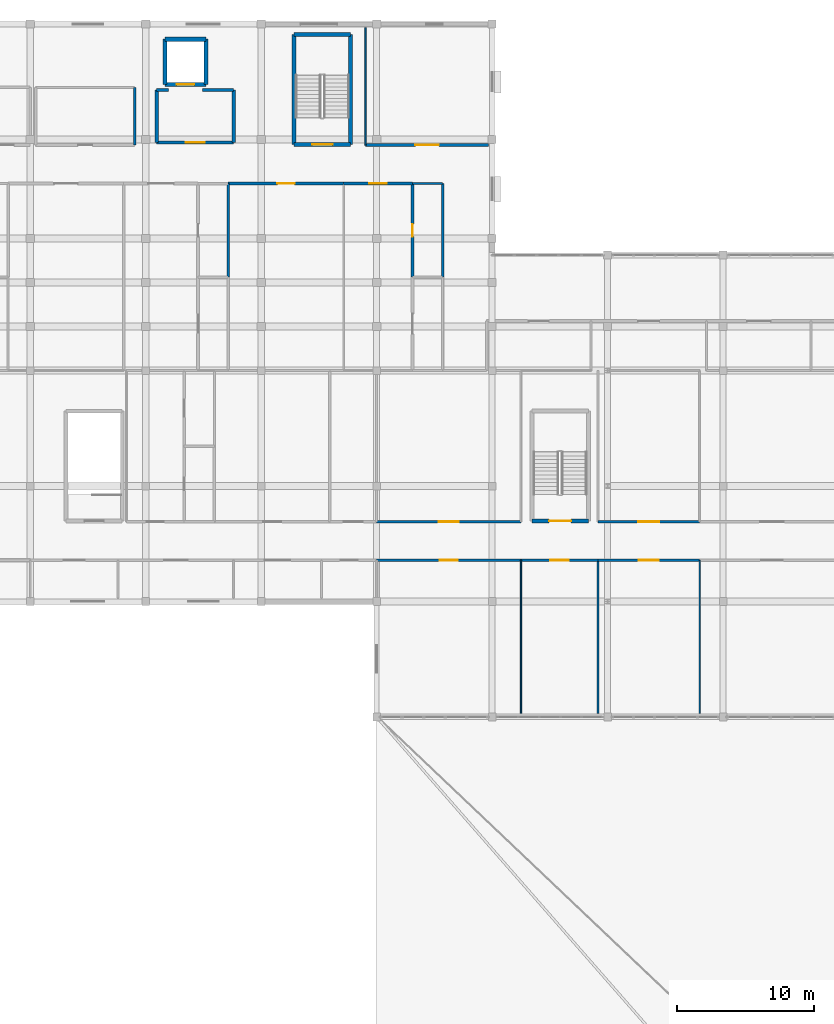
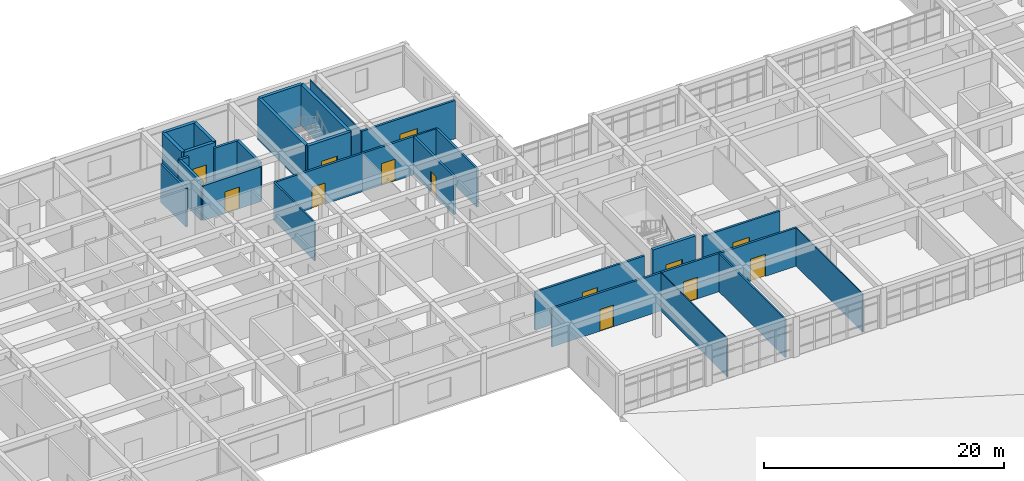
# One storey, part 50 of 77: 31 walls, 13 doors, 13 openings.
"""IFC4 building model written with IfcOpenShell, lengths in metres."""

from ifc_helpers import new_model, si_unit, direction, frame, frame_2d, origin, place, context, subcontext, project, spatial, rectangle, extrude, material, layer, layer_set, type_object, element, fill, save


model = new_model("IFC4")

# Units and contexts
model_context = context("Model", 3, precision=1e-05, world=origin(), true_north=direction((0.0, 1.0)))
body_context = subcontext(model_context, "Body", "Model", "MODEL_VIEW")
ifc_project = project(units=[si_unit("LENGTHUNIT", "METRE"), si_unit("AREAUNIT", "SQUARE_METRE"), si_unit("VOLUMEUNIT", "CUBIC_METRE"), si_unit("PLANEANGLEUNIT", "RADIAN"), si_unit("MASSUNIT", "GRAM", prefix="KILO")], contexts=[model_context])

# Site, building, storey
site_placement = place(None, origin())
site = spatial("IfcSite", under=ifc_project, at=site_placement, CompositionType="ELEMENT")
building_placement = place(site_placement, origin())
building = spatial("IfcBuilding", under=site, at=building_placement, Name="Varncliffe General Hospital", CompositionType="ELEMENT")
storey_placement = place(building_placement, frame((0.0, 0.0, 16.199951171875)))
storey = spatial("IfcBuildingStorey", under=building, at=storey_placement, Name="L03", CompositionType="ELEMENT", Elevation=16.199951171875)

# Walls
ifc_material_1 = material(Name="Acoustic clinical gypsum stud partition assembly", Category="gypsum")
ifc_layer_1 = layer(ifc_material_1, 0.14990234375)
ifc_layer_set_1 = layer_set([ifc_layer_1], Name="Acoustic clinical gypsum stud partition assembly")
wall_type_1 = type_object("IfcWallType", Name="Interior Partitioning IW35 (150mm)", PredefinedType="PARTITIONING", material=ifc_layer_set_1)
wall_1_placement = place(storey_placement, frame((74.89990234375, 74.659912109375, 0.0), z_axis=(0.0, 0.0, 1.0), x_axis=(0.0, 1.0, 0.0)))
element("IfcWall", 1, at=wall_1_placement, inside=storey, type_object=wall_type_1, Name="L03 Interior Partition Wall IW35-1579", PredefinedType="PARTITIONING", context=body_context, shape_type="SweptSolid", body=[
    extrude(rectangle(XDim=11.14013671875, YDim=0.14990234375, at=frame_2d((5.570068359375, 0.0))), origin(), (0.0, 0.0, 1.0), 3.89013671875),
])
ifc_layer_2 = layer(ifc_material_1, 0.090087890625)
ifc_layer_set_2 = layer_set([ifc_layer_2], Name="Acoustic clinical gypsum stud partition assembly")
wall_type_2 = type_object("IfcWallType", Name="Interior Partitioning IW42 (90mm)", PredefinedType="PARTITIONING", material=ifc_layer_set_2)
for number, where, z_axis, x_axis, name in (
    (2, (69.300048828125, 74.659912109375, 0.0), (0.0, 0.0, 1.0), (0.0, 1.0, 0.0), "L03 Interior Partition Wall IW42-1576"),
    (3, (82.300048828125, 74.659912109375, 0.0), (0.0, 0.0, 1.0), (0.0, 1.0, 0.0), "L03 Interior Partition Wall IW42-1581"),
):
    element("IfcWall", number, at=place(storey_placement, frame(where, z_axis=z_axis, x_axis=x_axis)), inside=storey, type_object=wall_type_2, Name=name, PredefinedType="PARTITIONING", context=body_context, shape_type="SweptSolid", body=[
        extrude(rectangle(XDim=11.14013671875, YDim=0.090087890625, at=frame_2d((5.570068359375, 0.0))), origin(), (0.0, 0.0, 1.0), 3.89013671875),
    ])
ifc_layer_3 = layer(ifc_material_1, 0.110107421875)
ifc_layer_set_3 = layer_set([ifc_layer_3], Name="Acoustic clinical gypsum stud partition assembly")
wall_type_3 = type_object("IfcWallType", Name="Interior Partitioning IW65 (110mm)", PredefinedType="PARTITIONING", material=ifc_layer_set_3)
wall_2_placement = place(storey_placement, frame((58.0, 116.0, 0.0), z_axis=(0.0, 0.0, 1.0), x_axis=(0.0, 1.0, 0.0)))
element("IfcWall", 4, at=wall_2_placement, inside=storey, type_object=wall_type_3, Name="L03 Interior Partition Wall IW65-1567", PredefinedType="PARTITIONING", context=body_context, shape_type="SweptSolid", body=[
    extrude(rectangle(XDim=8.5400390625, YDim=0.110107421875, at=frame_2d((4.27001953125, 0.0))), origin(), (0.0, 0.0, 1.0), 3.89013671875),
])
ifc_material_2 = material(Name="Fire-rated gypsum and mineral-wool partition assembly", Category="gypsum")
ifc_layer_4 = layer(ifc_material_2, 0.25)
ifc_layer_set_4 = layer_set([ifc_layer_4], Name="Fire-rated gypsum and mineral-wool partition assembly")
wall_type_4 = type_object("IfcWallType", Name="Interior Partitioning PW38 (250mm)", PredefinedType="PARTITIONING", material=ifc_layer_set_4)
for number, where, z_axis, x_axis, name in (
    (5, (42.800048828125, 116.199951171875, 0.0), (0.0, 0.0, 1.0), (0.0, 1.0, 0.0), "L03 Interior Partition Wall PW38-1553"),
    (6, (48.39990234375, 116.199951171875, 0.0), (0.0, 0.0, 1.0), (0.0, 1.0, 0.0), "L03 Interior Partition Wall PW38-1563"),
):
    element("IfcWall", number, at=place(storey_placement, frame(where, z_axis=z_axis, x_axis=x_axis)), inside=storey, type_object=wall_type_4, Name=name, PredefinedType="PARTITIONING", context=body_context, shape_type="SweptSolid", body=[
        extrude(rectangle(XDim=3.800048828125, YDim=0.25, at=frame_2d((1.89990234375, 0.0))), origin(), (0.0, 0.0, 1.0), 3.89013671875),
    ])

# Wall, opening, door
ifc_layer_5 = layer(ifc_material_2, 0.22998046875)
ifc_layer_set_5 = layer_set([ifc_layer_5], Name="Fire-rated gypsum and mineral-wool partition assembly")
wall_type_5 = type_object("IfcWallType", Name="Interior Partitioning PW48 (230mm)", PredefinedType="PARTITIONING", material=ifc_layer_set_5)
wall_3_placement = place(storey_placement, frame((42.800048828125, 116.199951171875, 0.0), z_axis=(0.0, 0.0, 1.0), x_axis=(1.0, 0.0, 0.0)))
wall_3 = element("IfcWall", 7, at=wall_3_placement, inside=storey, type_object=wall_type_5, Name="L03 Interior Partition Wall PW48-1494", PredefinedType="PARTITIONING", context=body_context, shape_type="SweptSolid", body=[
    extrude(rectangle(XDim=5.599853515625, YDim=0.22998046875, at=frame_2d((2.7998046875, 0.0))), origin(), (0.0, 0.0, 1.0), 3.53515625),
])
opening_1_placement = place(wall_3_placement, frame((2.10009765625, 0.0, 0.0)))
opening_1 = element("IfcOpeningElement", 8, at=opening_1_placement, cuts=wall_3, Name="Opening DF81", PredefinedType="OPENING", context=body_context, shape_type="SweptSolid", body=[
    extrude(rectangle(XDim=1.39990234375, YDim=2.199951171875, at=frame_2d((0.699951171875, 1.10009765625))), frame((0.0, 0.125, 0.0), z_axis=(0.0, -1.0, 0.0), x_axis=(1.0, 0.0, 0.0)), (0.0, 0.0, 1.0), 0.25),
])
ifc_material_3 = material(Name="Fire-rated hospital steel-frame vision-panel door", Category="steel")
door_type_1 = type_object("IfcDoorType", Name="Interior Hospital Door DF81 (1400x2200)", OperationType="NOTDEFINED", PredefinedType="DOOR", material=ifc_material_3)
door_1_placement = place(opening_1_placement, origin())
door_1 = element("IfcDoor", 9, at=door_1_placement, inside=storey, type_object=door_type_1, Name="L03 Firefighting Lift Lobby LF02 Door", OperationType="SINGLE_SWING_LEFT", OverallHeight=2.199951171875, OverallWidth=1.39990234375, PredefinedType="DOOR", context=body_context, shape_type="SweptSolid", body=[
    extrude(rectangle(XDim=1.39990234375, YDim=2.199951171875, at=frame_2d((0.699951171875, 1.10009765625))), frame((0.0, 0.02490234375, 0.0), z_axis=(0.0, -1.0, 0.0), x_axis=(1.0, 0.0, 0.0)), (0.0, 0.0, 1.0), 0.050048828125),
])
fill(opening_1, door_1)

# Walls
wall_4_placement = place(storey_placement, frame((46.135986328125, 120.0, 0.0), z_axis=(0.0, 0.0, 1.0), x_axis=(1.0, 0.0, 0.0)))
element("IfcWall", 10, at=wall_4_placement, inside=storey, type_object=wall_type_5, Name="L03 Interior Partition Wall PW48-1498", PredefinedType="PARTITIONING", context=body_context, shape_type="SweptSolid", body=[
    extrude(rectangle(XDim=2.263916015625, YDim=0.22998046875, at=frame_2d((1.1318359375, 0.0))), origin(), (0.0, 0.0, 1.0), 3.89013671875),
])
wall_5_placement = place(storey_placement, frame((42.800048828125, 120.0, 0.0), z_axis=(0.0, 0.0, 1.0), x_axis=(1.0, 0.0, 0.0)))
element("IfcWall", 11, at=wall_5_placement, inside=storey, type_object=wall_type_5, Name="L03 Interior Partition Wall PW48-1499", PredefinedType="PARTITIONING", context=body_context, shape_type="SweptSolid", body=[
    extrude(rectangle(XDim=0.864013671875, YDim=0.22998046875, at=frame_2d((0.43212890625, 0.0))), origin(), (0.0, 0.0, 1.0), 3.89013671875),
])

# Wall, opening, door
ifc_layer_6 = layer(ifc_material_2, 0.199951171875)
ifc_layer_set_6 = layer_set([ifc_layer_6], Name="Fire-rated gypsum and mineral-wool partition assembly")
wall_type_6 = type_object("IfcWallType", Name="Interior Partitioning PW63 (200mm)", PredefinedType="PARTITIONING", material=ifc_layer_set_6)
wall_6_placement = place(storey_placement, frame((58.800048828125, 85.800048828125, 0.0), z_axis=(0.0, 0.0, 1.0), x_axis=(1.0, 0.0, 0.0)))
wall_6 = element("IfcWall", 12, at=wall_6_placement, inside=storey, type_object=wall_type_6, Name="L03 Interior Partition Wall PW63-1368", PredefinedType="PARTITIONING", context=body_context, shape_type="SweptSolid", body=[
    extrude(rectangle(XDim=10.5, YDim=0.199951171875, at=frame_2d((5.25, 0.0))), origin(), (0.0, 0.0, 1.0), 3.89013671875),
])
opening_2_placement = place(wall_6_placement, frame((4.60009765625, 0.0, 0.0)))
opening_2 = element("IfcOpeningElement", 13, at=opening_2_placement, cuts=wall_6, Name="Opening DC88", PredefinedType="OPENING", context=body_context, shape_type="SweptSolid", body=[
    extrude(rectangle(XDim=1.300048828125, YDim=2.199951171875, at=frame_2d((0.64990234375, 1.10009765625))), frame((0.0, 0.10986328125, 0.0), z_axis=(0.0, -1.0, 0.0), x_axis=(1.0, 0.0, 0.0)), (0.0, 0.0, 1.0), 0.219970703125),
])
door_type_2 = type_object("IfcDoorType", Name="Interior Hospital Door DC88 (1300x2200)", OperationType="NOTDEFINED", PredefinedType="DOOR", material=ifc_material_3)
door_2_placement = place(opening_2_placement, frame((1.300048828125, 0.0, 0.0), z_axis=(0.0, 0.0, 1.0), x_axis=(-1.0, 0.0, 0.0)))
door_2 = element("IfcDoor", 14, at=door_2_placement, inside=storey, type_object=door_type_2, Name="L03 Hybrid Interventional Operating Theatre 57 Door", OperationType="SINGLE_SWING_RIGHT", OverallHeight=2.199951171875, OverallWidth=1.300048828125, PredefinedType="DOOR", context=body_context, shape_type="SweptSolid", body=[
    extrude(rectangle(XDim=1.300048828125, YDim=2.199951171875, at=frame_2d((0.64990234375, 1.10009765625))), frame((0.0, 0.02490234375, 0.0), z_axis=(0.0, -1.0, 0.0), x_axis=(1.0, 0.0, 0.0)), (0.0, 0.0, 1.0), 0.050048828125),
])
fill(opening_2, door_2)

wall_7_placement = place(storey_placement, frame((69.300048828125, 85.800048828125, 0.0), z_axis=(0.0, 0.0, 1.0), x_axis=(1.0, 0.0, 0.0)))
wall_7 = element("IfcWall", 15, at=wall_7_placement, inside=storey, type_object=wall_type_6, Name="L03 Interior Partition Wall PW63-1369", PredefinedType="PARTITIONING", context=body_context, shape_type="SweptSolid", body=[
    extrude(rectangle(XDim=5.599853515625, YDim=0.199951171875, at=frame_2d((2.7998046875, 0.0))), origin(), (0.0, 0.0, 1.0), 3.89013671875),
])
opening_3_placement = place(wall_7_placement, frame((2.125, 0.0, 0.0)))
opening_3 = element("IfcOpeningElement", 16, at=opening_3_placement, cuts=wall_7, Name="Opening DC85", PredefinedType="OPENING", context=body_context, shape_type="SweptSolid", body=[
    extrude(rectangle(XDim=1.35009765625, YDim=2.199951171875, at=frame_2d((0.675048828125, 1.10009765625))), frame((0.0, 0.10986328125, 0.0), z_axis=(0.0, -1.0, 0.0), x_axis=(1.0, 0.0, 0.0)), (0.0, 0.0, 1.0), 0.219970703125),
])
door_type_3 = type_object("IfcDoorType", Name="Interior Hospital Door DC85 (1350x2200)", OperationType="NOTDEFINED", PredefinedType="DOOR", material=ifc_material_3)
door_3_placement = place(opening_3_placement, frame((1.35009765625, 0.0, 0.0), z_axis=(0.0, 0.0, 1.0), x_axis=(-1.0, 0.0, 0.0)))
door_3 = element("IfcDoor", 17, at=door_3_placement, inside=storey, type_object=door_type_3, Name="L03 Surgical Scrub and Sterile Core Room 58 Door", OperationType="SINGLE_SWING_LEFT", OverallHeight=2.199951171875, OverallWidth=1.35009765625, PredefinedType="DOOR", context=body_context, shape_type="SweptSolid", body=[
    extrude(rectangle(XDim=1.35009765625, YDim=2.199951171875, at=frame_2d((0.675048828125, 1.10009765625))), frame((0.0, 0.02490234375, 0.0), z_axis=(0.0, -1.0, 0.0), x_axis=(1.0, 0.0, 0.0)), (0.0, 0.0, 1.0), 0.050048828125),
])
fill(opening_3, door_3)

wall_8_placement = place(storey_placement, frame((74.89990234375, 85.800048828125, 0.0), z_axis=(0.0, 0.0, 1.0), x_axis=(1.0, 0.0, 0.0)))
wall_8 = element("IfcWall", 18, at=wall_8_placement, inside=storey, type_object=wall_type_6, Name="L03 Interior Partition Wall PW63-1370", PredefinedType="PARTITIONING", context=body_context, shape_type="SweptSolid", body=[
    extrude(rectangle(XDim=7.400146484375, YDim=0.199951171875, at=frame_2d((3.7001953125, 0.0))), origin(), (0.0, 0.0, 1.0), 3.89013671875),
])
opening_4_placement = place(wall_8_placement, frame((2.97509765625, 0.0, 0.0)))
opening_4 = element("IfcOpeningElement", 19, at=opening_4_placement, cuts=wall_8, Name="Opening DC66", PredefinedType="OPENING", context=body_context, shape_type="SweptSolid", body=[
    extrude(rectangle(XDim=1.449951171875, YDim=2.25, at=frame_2d((0.72509765625, 1.125))), frame((0.0, 0.10986328125, 0.0), z_axis=(0.0, -1.0, 0.0), x_axis=(1.0, 0.0, 0.0)), (0.0, 0.0, 1.0), 0.219970703125),
])
door_type_4 = type_object("IfcDoorType", Name="Interior Hospital Door DC66 (1450x2250)", OperationType="NOTDEFINED", PredefinedType="DOOR", material=ifc_material_3)
door_4_placement = place(opening_4_placement, frame((1.449951171875, 0.0, 0.0), z_axis=(0.0, 0.0, 1.0), x_axis=(-1.0, 0.0, 0.0)))
door_4 = element("IfcDoor", 20, at=door_4_placement, inside=storey, type_object=door_type_4, Name="L03 Endoscopy Procedure Suite 59 Door", OperationType="SINGLE_SWING_RIGHT", OverallHeight=2.25, OverallWidth=1.449951171875, PredefinedType="DOOR", context=body_context, shape_type="SweptSolid", body=[
    extrude(rectangle(XDim=1.449951171875, YDim=2.25, at=frame_2d((0.72509765625, 1.125))), frame((0.0, 0.02490234375, 0.0), z_axis=(0.0, -1.0, 0.0), x_axis=(1.0, 0.0, 0.0)), (0.0, 0.0, 1.0), 0.050048828125),
])
fill(opening_4, door_4)

wall_9_placement = place(storey_placement, frame((58.800048828125, 88.60009765625, 0.0), z_axis=(0.0, 0.0, 1.0), x_axis=(1.0, 0.0, 0.0)))
wall_9 = element("IfcWall", 21, at=wall_9_placement, inside=storey, type_object=wall_type_6, Name="L03 Interior Partition Wall PW63-1386", PredefinedType="PARTITIONING", context=body_context, shape_type="SweptSolid", body=[
    extrude(rectangle(XDim=10.5, YDim=0.199951171875, at=frame_2d((5.25, 0.0))), origin(), (0.0, 0.0, 1.0), 3.89013671875),
])
opening_5_placement = place(wall_9_placement, frame((4.52490234375, 0.0, 0.0)))
opening_5 = element("IfcOpeningElement", 22, at=opening_5_placement, cuts=wall_9, Name="Opening DC66", PredefinedType="OPENING", context=body_context, shape_type="SweptSolid", body=[
    extrude(rectangle(XDim=1.449951171875, YDim=2.25, at=frame_2d((0.72509765625, 1.125))), frame((0.0, 0.10986328125, 0.0), z_axis=(0.0, -1.0, 0.0), x_axis=(1.0, 0.0, 0.0)), (0.0, 0.0, 1.0), 0.219970703125),
])
door_5_placement = place(opening_5_placement, origin())
door_5 = element("IfcDoor", 23, at=door_5_placement, inside=storey, type_object=door_type_4, Name="L03 Hybrid Interventional Operating Theatre 68 Door", OperationType="SINGLE_SWING_RIGHT", OverallHeight=2.25, OverallWidth=1.449951171875, PredefinedType="DOOR", context=body_context, shape_type="SweptSolid", body=[
    extrude(rectangle(XDim=1.449951171875, YDim=2.25, at=frame_2d((0.72509765625, 1.125))), frame((0.0, 0.02490234375, 0.0), z_axis=(0.0, -1.0, 0.0), x_axis=(1.0, 0.0, 0.0)), (0.0, 0.0, 1.0), 0.050048828125),
])
fill(opening_5, door_5)

wall_10_placement = place(storey_placement, frame((74.89990234375, 88.60009765625, 0.0), z_axis=(0.0, 0.0, 1.0), x_axis=(1.0, 0.0, 0.0)))
wall_10 = element("IfcWall", 24, at=wall_10_placement, inside=storey, type_object=wall_type_6, Name="L03 Interior Partition Wall PW63-1387", PredefinedType="PARTITIONING", context=body_context, shape_type="SweptSolid", body=[
    extrude(rectangle(XDim=7.400146484375, YDim=0.199951171875, at=frame_2d((3.7001953125, 0.0))), origin(), (0.0, 0.0, 1.0), 3.89013671875),
])
opening_6_placement = place(wall_10_placement, frame((2.925048828125, 0.0, 0.0)))
opening_6 = element("IfcOpeningElement", 25, at=opening_6_placement, cuts=wall_10, Name="Opening DC67", PredefinedType="OPENING", context=body_context, shape_type="SweptSolid", body=[
    extrude(rectangle(XDim=1.550048828125, YDim=2.25, at=frame_2d((0.77490234375, 1.125))), frame((0.0, 0.10986328125, 0.0), z_axis=(0.0, -1.0, 0.0), x_axis=(1.0, 0.0, 0.0)), (0.0, 0.0, 1.0), 0.219970703125),
])
door_type_5 = type_object("IfcDoorType", Name="Interior Hospital Door DC67 (1550x2250)", OperationType="NOTDEFINED", PredefinedType="DOOR", material=ifc_material_3)
door_6_placement = place(opening_6_placement, origin())
door_6 = element("IfcDoor", 26, at=door_6_placement, inside=storey, type_object=door_type_5, Name="L03 Endoscopy Procedure Suite 69 Door", OperationType="SINGLE_SWING_LEFT", OverallHeight=2.25, OverallWidth=1.550048828125, PredefinedType="DOOR", context=body_context, shape_type="SweptSolid", body=[
    extrude(rectangle(XDim=1.550048828125, YDim=2.25, at=frame_2d((0.77490234375, 1.125))), frame((0.0, 0.02490234375, 0.0), z_axis=(0.0, -1.0, 0.0), x_axis=(1.0, 0.0, 0.0)), (0.0, 0.0, 1.0), 0.050048828125),
])
fill(opening_6, door_6)

wall_11_placement = place(storey_placement, frame((48.0, 113.199951171875, 0.0), z_axis=(0.0, 0.0, 1.0), x_axis=(1.0, 0.0, 0.0)))
wall_11 = element("IfcWall", 27, at=wall_11_placement, inside=storey, type_object=wall_type_6, Name="L03 Interior Partition Wall PW63-1467", PredefinedType="PARTITIONING", context=body_context, shape_type="SweptSolid", body=[
    extrude(rectangle(XDim=8.39990234375, YDim=0.199951171875, at=frame_2d((4.199951171875, 0.0))), origin(), (0.0, 0.0, 1.0), 3.89013671875),
])
opening_7_placement = place(wall_11_placement, frame((3.574951171875, 0.0, 0.0)))
opening_7 = element("IfcOpeningElement", 28, at=opening_7_placement, cuts=wall_11, Name="Opening DC44", PredefinedType="OPENING", context=body_context, shape_type="SweptSolid", body=[
    extrude(rectangle(XDim=1.25, YDim=2.14990234375, at=frame_2d((0.625, 1.074951171875))), frame((0.0, 0.10986328125, 0.0), z_axis=(0.0, -1.0, 0.0), x_axis=(1.0, 0.0, 0.0)), (0.0, 0.0, 1.0), 0.219970703125),
])
door_type_6 = type_object("IfcDoorType", Name="Interior Hospital Door DC44 (1250x2150)", OperationType="NOTDEFINED", PredefinedType="DOOR", material=ifc_material_3)
door_7_placement = place(opening_7_placement, frame((1.25, 0.0, 0.0), z_axis=(0.0, 0.0, 1.0), x_axis=(-1.0, 0.0, 0.0)))
door_7 = element("IfcDoor", 29, at=door_7_placement, inside=storey, type_object=door_type_6, Name="L03 Inpatient Physiotherapy Gym Bay 111 Door", OperationType="SINGLE_SWING_RIGHT", OverallHeight=2.14990234375, OverallWidth=1.25, PredefinedType="DOOR", context=body_context, shape_type="SweptSolid", body=[
    extrude(rectangle(XDim=1.25, YDim=2.14990234375, at=frame_2d((0.625, 1.074951171875))), frame((0.0, 0.02490234375, 0.0), z_axis=(0.0, -1.0, 0.0), x_axis=(1.0, 0.0, 0.0)), (0.0, 0.0, 1.0), 0.050048828125),
])
fill(opening_7, door_7)

wall_12_placement = place(storey_placement, frame((56.39990234375, 113.199951171875, 0.0), z_axis=(0.0, 0.0, 1.0), x_axis=(1.0, 0.0, 0.0)))
wall_12 = element("IfcWall", 30, at=wall_12_placement, inside=storey, type_object=wall_type_6, Name="L03 Interior Partition Wall PW63-1468", PredefinedType="PARTITIONING", context=body_context, shape_type="SweptSolid", body=[
    extrude(rectangle(XDim=5.0, YDim=0.199951171875, at=frame_2d((2.5, 0.0))), origin(), (0.0, 0.0, 1.0), 3.89013671875),
])
opening_8_placement = place(wall_12_placement, frame((1.85009765625, 0.0, 0.0)))
opening_8 = element("IfcOpeningElement", 31, at=opening_8_placement, cuts=wall_12, Name="Opening DC88", PredefinedType="OPENING", context=body_context, shape_type="SweptSolid", body=[
    extrude(rectangle(XDim=1.300048828125, YDim=2.199951171875, at=frame_2d((0.64990234375, 1.10009765625))), frame((0.0, 0.10986328125, 0.0), z_axis=(0.0, -1.0, 0.0), x_axis=(1.0, 0.0, 0.0)), (0.0, 0.0, 1.0), 0.219970703125),
])
door_8_placement = place(opening_8_placement, frame((1.300048828125, 0.0, 0.0), z_axis=(0.0, 0.0, 1.0), x_axis=(-1.0, 0.0, 0.0)))
door_8 = element("IfcDoor", 32, at=door_8_placement, inside=storey, type_object=door_type_2, Name="L03 Orthopaedic Inpatient Ward Suite 112 Door", OperationType="SINGLE_SWING_LEFT", OverallHeight=2.199951171875, OverallWidth=1.300048828125, PredefinedType="DOOR", context=body_context, shape_type="SweptSolid", body=[
    extrude(rectangle(XDim=1.300048828125, YDim=2.199951171875, at=frame_2d((0.64990234375, 1.10009765625))), frame((0.0, 0.02490234375, 0.0), z_axis=(0.0, -1.0, 0.0), x_axis=(1.0, 0.0, 0.0)), (0.0, 0.0, 1.0), 0.050048828125),
])
fill(opening_8, door_8)

wall_13_placement = place(storey_placement, frame((58.0, 116.0, 0.0), z_axis=(0.0, 0.0, 1.0), x_axis=(1.0, 0.0, 0.0)))
wall_13 = element("IfcWall", 33, at=wall_13_placement, inside=storey, type_object=wall_type_6, Name="L03 Interior Partition Wall PW63-1484", PredefinedType="PARTITIONING", context=body_context, shape_type="SweptSolid", body=[
    extrude(rectangle(XDim=8.93994140625, YDim=0.199951171875, at=frame_2d((4.469970703125, 0.0))), origin(), (0.0, 0.0, 1.0), 3.89013671875),
])
opening_9_placement = place(wall_13_placement, frame((3.6201171875, 0.0, 0.0)))
opening_9 = element("IfcOpeningElement", 34, at=opening_9_placement, cuts=wall_13, Name="Opening DC50", PredefinedType="OPENING", context=body_context, shape_type="SweptSolid", body=[
    extrude(rectangle(XDim=1.699951171875, YDim=2.300048828125, at=frame_2d((0.85009765625, 1.14990234375))), frame((0.0, 0.10986328125, 0.0), z_axis=(0.0, -1.0, 0.0), x_axis=(1.0, 0.0, 0.0)), (0.0, 0.0, 1.0), 0.219970703125),
])
door_type_7 = type_object("IfcDoorType", Name="Interior Hospital Door DC50 (1700x2300)", OperationType="NOTDEFINED", PredefinedType="DOOR", material=ifc_material_3)
door_9_placement = place(opening_9_placement, origin())
door_9 = element("IfcDoor", 35, at=door_9_placement, inside=storey, type_object=door_type_7, Name="L03 Inpatient Physiotherapy Gym Bay 131 Door", OperationType="SINGLE_SWING_RIGHT", OverallHeight=2.300048828125, OverallWidth=1.699951171875, PredefinedType="DOOR", context=body_context, shape_type="SweptSolid", body=[
    extrude(rectangle(XDim=1.699951171875, YDim=2.300048828125, at=frame_2d((0.85009765625, 1.14990234375))), frame((0.0, 0.02490234375, 0.0), z_axis=(0.0, -1.0, 0.0), x_axis=(1.0, 0.0, 0.0)), (0.0, 0.0, 1.0), 0.050048828125),
])
fill(opening_9, door_9)

wall_14_placement = place(storey_placement, frame((61.39990234375, 106.39990234375, 0.0), z_axis=(0.0, 0.0, 1.0), x_axis=(0.0, 1.0, 0.0)))
wall_14 = element("IfcWall", 36, at=wall_14_placement, inside=storey, type_object=wall_type_6, Name="L03 Interior Partition Wall PW63-1572", PredefinedType="PARTITIONING", context=body_context, shape_type="SweptSolid", body=[
    extrude(rectangle(XDim=6.800048828125, YDim=0.199951171875, at=frame_2d((3.39990234375, 0.0))), origin(), (0.0, 0.0, 1.0), 3.89013671875),
])
opening_10_placement = place(wall_14_placement, frame((2.93994140625, 0.0, 0.0)))
opening_10 = element("IfcOpeningElement", 37, at=opening_10_placement, cuts=wall_14, Name="Opening DI70", PredefinedType="OPENING", context=body_context, shape_type="SweptSolid", body=[
    extrude(rectangle(XDim=0.919921875, YDim=2.10009765625, at=frame_2d((0.4599609375, 1.050048828125))), frame((0.0, 0.10986328125, 0.0), z_axis=(0.0, -1.0, 0.0), x_axis=(1.0, 0.0, 0.0)), (0.0, 0.0, 1.0), 0.219970703125),
])
ifc_material_4 = material(Name="Solid-core antimicrobial hospital oak veneer door", Category="wood")
door_type_8 = type_object("IfcDoorType", Name="Interior Hospital Door DI70 (920x2100)", OperationType="NOTDEFINED", PredefinedType="DOOR", material=ifc_material_4)
door_10_placement = place(opening_10_placement, frame((0.919921875, 0.0, 0.0), z_axis=(0.0, 0.0, 1.0), x_axis=(-1.0, 0.0, 0.0)))
door_10 = element("IfcDoor", 38, at=door_10_placement, inside=storey, type_object=door_type_8, Name="L03 En-Suite Bathroom 113 Door", OperationType="SINGLE_SWING_RIGHT", OverallHeight=2.10009765625, OverallWidth=0.919921875, PredefinedType="DOOR", context=body_context, shape_type="SweptSolid", body=[
    extrude(rectangle(XDim=0.919921875, YDim=2.10009765625, at=frame_2d((0.4599609375, 1.050048828125))), frame((0.0, 0.02490234375, 0.0), z_axis=(0.0, -1.0, 0.0), x_axis=(1.0, 0.0, 0.0)), (0.0, 0.0, 1.0), 0.050048828125),
])
fill(opening_10, door_10)

# Walls
ifc_material_5 = material(Name="Moisture-resistant plumbing chase wall assembly", Category="gypsum")
ifc_layer_7 = layer(ifc_material_5, 0.18994140625)
ifc_layer_set_7 = layer_set([ifc_layer_7], Name="Moisture-resistant plumbing chase wall assembly")
wall_type_7 = type_object("IfcWallType", Name="Interior Plumbingwall MW17 (190mm)", PredefinedType="PLUMBINGWALL", material=ifc_layer_set_7)
wall_15_placement = place(storey_placement, frame((41.199951171875, 116.0, 0.0), z_axis=(0.0, 0.0, 1.0), x_axis=(0.0, 1.0, 0.0)))
element("IfcWall", 39, at=wall_15_placement, inside=storey, type_object=wall_type_7, Name="L03 Interior Plumbing Wall MW17-1552", PredefinedType="PLUMBINGWALL", context=body_context, shape_type="SweptSolid", body=[
    extrude(rectangle(XDim=4.199951171875, YDim=0.18994140625, at=frame_2d((2.10009765625, 0.0))), origin(), (0.0, 0.0, 1.0), 3.89013671875),
])
wall_16_placement = place(storey_placement, frame((63.60009765625, 106.39990234375, 0.0), z_axis=(0.0, 0.0, 1.0), x_axis=(0.0, 1.0, 0.0)))
element("IfcWall", 40, at=wall_16_placement, inside=storey, type_object=wall_type_7, Name="L03 Interior Plumbing Wall MW17-1574", PredefinedType="PLUMBINGWALL", context=body_context, shape_type="SweptSolid", body=[
    extrude(rectangle(XDim=6.800048828125, YDim=0.18994140625, at=frame_2d((3.39990234375, 0.0))), origin(), (0.0, 0.0, 1.0), 3.89013671875),
])
ifc_layer_8 = layer(ifc_material_5, 0.159912109375)
ifc_layer_set_8 = layer_set([ifc_layer_8], Name="Moisture-resistant plumbing chase wall assembly")
wall_type_8 = type_object("IfcWallType", Name="Interior Plumbingwall MW31 (160mm)", PredefinedType="PLUMBINGWALL", material=ifc_layer_set_8)
wall_17_placement = place(storey_placement, frame((61.39990234375, 113.199951171875, 0.0), z_axis=(0.0, 0.0, 1.0), x_axis=(1.0, 0.0, 0.0)))
element("IfcWall", 41, at=wall_17_placement, inside=storey, type_object=wall_type_8, Name="L03 Interior Plumbing Wall MW31-1469", PredefinedType="PLUMBINGWALL", context=body_context, shape_type="SweptSolid", body=[
    extrude(rectangle(XDim=2.2001953125, YDim=0.159912109375, at=frame_2d((1.10009765625, 0.0))), origin(), (0.0, 0.0, 1.0), 3.89013671875),
])
wall_18_placement = place(storey_placement, frame((48.0, 106.39990234375, 0.0), z_axis=(0.0, 0.0, 1.0), x_axis=(0.0, 1.0, 0.0)))
element("IfcWall", 42, at=wall_18_placement, inside=storey, type_object=wall_type_8, Name="L03 Interior Plumbing Wall MW31-1561", PredefinedType="PLUMBINGWALL", context=body_context, shape_type="SweptSolid", body=[
    extrude(rectangle(XDim=6.800048828125, YDim=0.159912109375, at=frame_2d((3.39990234375, 0.0))), origin(), (0.0, 0.0, 1.0), 3.89013671875),
])
ifc_material_6 = material(Name="Concrete C40/50 (CSA A23.1 40 MPa)", Category="concrete")
ifc_layer_9 = layer(ifc_material_6, 0.300048828125)
ifc_layer_set_9 = layer_set([ifc_layer_9], Name="Concrete C40/50 (CSA A23.1 40 MPa)")
wall_type_9 = type_object("IfcWallType", Name="Reinforced Concrete Core Shear Wall CW12 (300mm)", PredefinedType="SHEAR", material=ifc_layer_set_9)
wall_19_placement = place(storey_placement, frame((56.89990234375, 116.050048828125, 0.0), z_axis=(0.0, 0.0, 1.0), x_axis=(0.0, 1.0, 0.0)))
element("IfcWall", 43, at=wall_19_placement, inside=storey, type_object=wall_type_9, Name="L03 ST02 Core Shear Wall L", PredefinedType="SHEAR", context=body_context, shape_type="SweptSolid", body=[
    extrude(rectangle(XDim=8.0, YDim=0.300048828125, at=frame_2d((4.0, 0.0))), origin(), (0.0, 0.0, 1.0), 4.199951171875),
])
wall_20_placement = place(storey_placement, frame((56.89990234375, 124.050048828125, 0.0), z_axis=(0.0, 0.0, 1.0), x_axis=(-1.0, 0.0, 0.0)))
element("IfcWall", 44, at=wall_20_placement, inside=storey, type_object=wall_type_9, Name="L03 ST02 Core Shear Wall F", PredefinedType="SHEAR", context=body_context, shape_type="SweptSolid", body=[
    extrude(rectangle(XDim=4.099853515625, YDim=0.300048828125, at=frame_2d((2.0498046875, 0.0))), origin(), (0.0, 0.0, 1.0), 4.199951171875),
])
wall_21_placement = place(storey_placement, frame((52.800048828125, 124.050048828125, 0.0), z_axis=(0.0, 0.0, 1.0), x_axis=(0.0, -1.0, 0.0)))
element("IfcWall", 45, at=wall_21_placement, inside=storey, type_object=wall_type_9, Name="L03 ST02 Core Shear Wall R", PredefinedType="SHEAR", context=body_context, shape_type="SweptSolid", body=[
    extrude(rectangle(XDim=8.0, YDim=0.300048828125, at=frame_2d((4.0, 0.0))), origin(), (0.0, 0.0, 1.0), 4.199951171875),
])

# Wall, opening, door
wall_22_placement = place(storey_placement, frame((52.800048828125, 116.050048828125, 0.0), z_axis=(0.0, 0.0, 1.0), x_axis=(1.0, 0.0, 0.0)))
wall_22 = element("IfcWall", 46, at=wall_22_placement, inside=storey, type_object=wall_type_9, Name="L03 ST02 Core Shear Wall N", PredefinedType="SHEAR", context=body_context, shape_type="SweptSolid", body=[
    extrude(rectangle(XDim=4.099853515625, YDim=0.300048828125, at=frame_2d((2.0498046875, 0.0))), origin(), (0.0, 0.0, 1.0), 4.199951171875),
])
opening_11_placement = place(wall_22_placement, frame((1.300048828125, 0.0, 0.0)))
opening_11 = element("IfcOpeningElement", 47, at=opening_11_placement, cuts=wall_22, Name="Opening DF28", PredefinedType="OPENING", context=body_context, shape_type="SweptSolid", body=[
    extrude(rectangle(XDim=1.5, YDim=2.199951171875, at=frame_2d((0.75, 1.10009765625))), frame((0.0, 0.16015625, 0.0), z_axis=(0.0, -1.0, 0.0), x_axis=(1.0, 0.0, 0.0)), (0.0, 0.0, 1.0), 0.320068359375),
])
door_type_9 = type_object("IfcDoorType", Name="Interior Hospital Door DF28 (1500x2200)", OperationType="NOTDEFINED", PredefinedType="DOOR", material=ifc_material_3)
door_11_placement = place(opening_11_placement, frame((1.5, 0.0, 0.0), z_axis=(0.0, 0.0, 1.0), x_axis=(-1.0, 0.0, 0.0)))
door_11 = element("IfcDoor", 48, at=door_11_placement, inside=storey, type_object=door_type_9, Name="L03 ST02 Protected Exit Stair Door", OperationType="SINGLE_SWING_RIGHT", OverallHeight=2.199951171875, OverallWidth=1.5, PredefinedType="DOOR", context=body_context, shape_type="SweptSolid", body=[
    extrude(rectangle(XDim=1.5, YDim=2.199951171875, at=frame_2d((0.75, 1.10009765625))), frame((0.0, 0.02490234375, 0.0), z_axis=(0.0, -1.0, 0.0), x_axis=(1.0, 0.0, 0.0)), (0.0, 0.0, 1.0), 0.050048828125),
])
fill(opening_11, door_11)

wall_23_placement = place(storey_placement, frame((70.10009765625, 88.64990234375, 0.0), z_axis=(0.0, 0.0, 1.0), x_axis=(1.0, 0.0, 0.0)))
wall_23 = element("IfcWall", 49, at=wall_23_placement, inside=storey, type_object=wall_type_9, Name="L03 ST12 Core Shear Wall N", PredefinedType="SHEAR", context=body_context, shape_type="SweptSolid", body=[
    extrude(rectangle(XDim=4.099853515625, YDim=0.300048828125, at=frame_2d((2.0498046875, 0.0))), origin(), (0.0, 0.0, 1.0), 4.199951171875),
])
opening_12_placement = place(wall_23_placement, frame((1.25, 0.0, 0.0)))
opening_12 = element("IfcOpeningElement", 50, at=opening_12_placement, cuts=wall_23, Name="Opening DF27", PredefinedType="OPENING", context=body_context, shape_type="SweptSolid", body=[
    extrude(rectangle(XDim=1.60009765625, YDim=2.25, at=frame_2d((0.800048828125, 1.125))), frame((0.0, 0.16015625, 0.0), z_axis=(0.0, -1.0, 0.0), x_axis=(1.0, 0.0, 0.0)), (0.0, 0.0, 1.0), 0.320068359375),
])
door_type_10 = type_object("IfcDoorType", Name="Interior Hospital Door DF27 (1600x2250)", OperationType="NOTDEFINED", PredefinedType="DOOR", material=ifc_material_3)
door_12_placement = place(opening_12_placement, frame((1.60009765625, 0.0, 0.0), z_axis=(0.0, 0.0, 1.0), x_axis=(-1.0, 0.0, 0.0)))
door_12 = element("IfcDoor", 51, at=door_12_placement, inside=storey, type_object=door_type_10, Name="L03 ST12 Protected Exit Stair Door", OperationType="SINGLE_SWING_RIGHT", OverallHeight=2.25, OverallWidth=1.60009765625, PredefinedType="DOOR", context=body_context, shape_type="SweptSolid", body=[
    extrude(rectangle(XDim=1.60009765625, YDim=2.25, at=frame_2d((0.800048828125, 1.125))), frame((0.0, 0.02490234375, 0.0), z_axis=(0.0, -1.0, 0.0), x_axis=(1.0, 0.0, 0.0)), (0.0, 0.0, 1.0), 0.050048828125),
])
fill(opening_12, door_12)

wall_24_placement = place(storey_placement, frame((43.39990234375, 120.39990234375, 0.0), z_axis=(0.0, 0.0, 1.0), x_axis=(1.0, 0.0, 0.0)))
wall_24 = element("IfcWall", 52, at=wall_24_placement, inside=storey, type_object=wall_type_9, Name="L03 LF02 Elevator Shaft Wall South", PredefinedType="SHEAR", context=body_context, shape_type="SweptSolid", body=[
    extrude(rectangle(XDim=3.0, YDim=0.300048828125, at=frame_2d((1.5, 0.0))), origin(), (0.0, 0.0, 1.0), 4.199951171875),
])
opening_13_placement = place(wall_24_placement, frame((0.85009765625, 0.0, 0.0)))
opening_13 = element("IfcOpeningElement", 53, at=opening_13_placement, cuts=wall_24, Name="Opening LD02", PredefinedType="OPENING", context=body_context, shape_type="SweptSolid", body=[
    extrude(rectangle(XDim=1.300048828125, YDim=2.199951171875, at=frame_2d((0.64990234375, 1.10009765625))), frame((0.0, 0.16015625, 0.0), z_axis=(0.0, -1.0, 0.0), x_axis=(1.0, 0.0, 0.0)), (0.0, 0.0, 1.0), 0.320068359375),
])
ifc_material_7 = material(Name="Brushed stainless-steel sliding elevator landing door", Category="steel")
door_type_11 = type_object("IfcDoorType", Name="Lift Landing Door LD02 (1300x2200)", OperationType="DOUBLE_DOOR_SLIDING", PredefinedType="DOOR", material=ifc_material_7)
door_13_placement = place(opening_13_placement, origin())
door_13 = element("IfcDoor", 54, at=door_13_placement, inside=storey, type_object=door_type_11, Name="Lift Landing Door LF02 L03", OperationType="DOUBLE_DOOR_SLIDING", OverallHeight=2.199951171875, OverallWidth=1.300048828125, PredefinedType="DOOR", context=body_context, shape_type="SweptSolid", body=[
    extrude(rectangle(XDim=1.300048828125, YDim=2.199951171875, at=frame_2d((0.64990234375, 1.10009765625))), frame((0.0, 0.02490234375, 0.0), z_axis=(0.0, -1.0, 0.0), x_axis=(1.0, 0.0, 0.0)), (0.0, 0.0, 1.0), 0.050048828125),
])
fill(opening_13, door_13)

# Walls
wall_25_placement = place(storey_placement, frame((46.39990234375, 120.39990234375, 0.0), z_axis=(0.0, 0.0, 1.0), x_axis=(0.0, 1.0, 0.0)))
element("IfcWall", 55, at=wall_25_placement, inside=storey, type_object=wall_type_9, Name="L03 LF02 Elevator Shaft Wall East", PredefinedType="SHEAR", context=body_context, shape_type="SweptSolid", body=[
    extrude(rectangle(XDim=3.300048828125, YDim=0.300048828125, at=frame_2d((1.64990234375, 0.0))), origin(), (0.0, 0.0, 1.0), 4.199951171875),
])
wall_26_placement = place(storey_placement, frame((46.39990234375, 123.699951171875, 0.0), z_axis=(0.0, 0.0, 1.0), x_axis=(-1.0, 0.0, 0.0)))
element("IfcWall", 56, at=wall_26_placement, inside=storey, type_object=wall_type_9, Name="L03 LF02 Elevator Shaft Wall North", PredefinedType="SHEAR", context=body_context, shape_type="SweptSolid", body=[
    extrude(rectangle(XDim=3.0, YDim=0.300048828125, at=frame_2d((1.5, 0.0))), origin(), (0.0, 0.0, 1.0), 4.199951171875),
])
wall_27_placement = place(storey_placement, frame((43.39990234375, 123.699951171875, 0.0), z_axis=(0.0, 0.0, 1.0), x_axis=(0.0, -1.0, 0.0)))
element("IfcWall", 57, at=wall_27_placement, inside=storey, type_object=wall_type_9, Name="L03 LF02 Elevator Shaft Wall West", PredefinedType="SHEAR", context=body_context, shape_type="SweptSolid", body=[
    extrude(rectangle(XDim=3.300048828125, YDim=0.300048828125, at=frame_2d((1.64990234375, 0.0))), origin(), (0.0, 0.0, 1.0), 4.199951171875),
])

save(model, "model.ifc")
